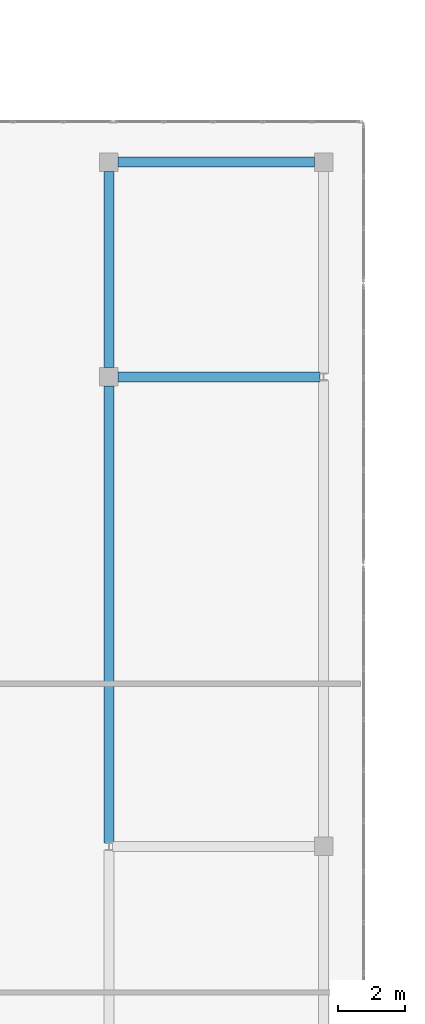
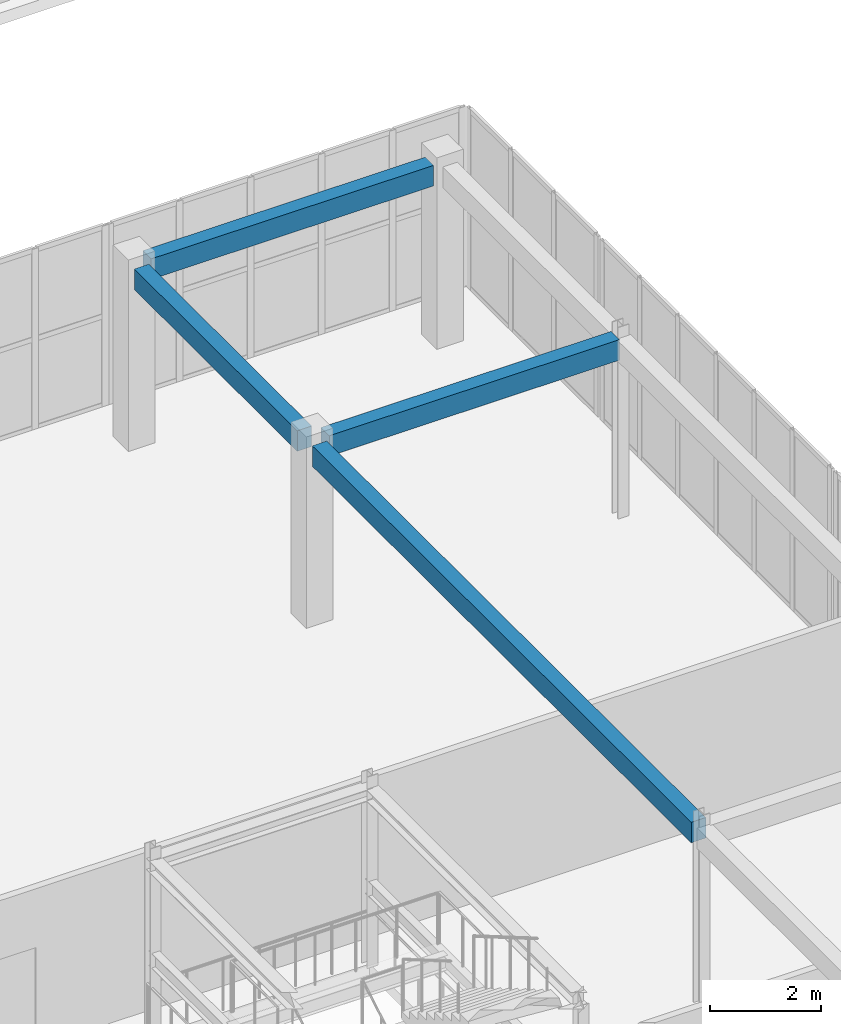
# One storey, part 72 of 140: 4 beams.
"""IFC4 building model written with IfcOpenShell, lengths in metres."""

from ifc_helpers import new_model, si_unit, direction, frame, origin, origin_2d, place, context, subcontext, project, spatial, rectangle, extrude, material, material_profile, profile_set, type_object, element, save


model = new_model("IFC4")

# Units and contexts
model_context = context("Model", 3, precision=1e-05, world=origin(), true_north=direction((0.0, 1.0)))
body_context = subcontext(model_context, "Body", "Model", "MODEL_VIEW")
ifc_project = project(units=[si_unit("LENGTHUNIT", "METRE"), si_unit("AREAUNIT", "SQUARE_METRE"), si_unit("VOLUMEUNIT", "CUBIC_METRE"), si_unit("PLANEANGLEUNIT", "RADIAN"), si_unit("MASSUNIT", "GRAM", prefix="KILO")], contexts=[model_context])

# Site, building, storey
site_placement = place(None, origin())
site = spatial("IfcSite", under=ifc_project, at=site_placement, CompositionType="ELEMENT")
building_placement = place(site_placement, origin())
building = spatial("IfcBuilding", under=site, at=building_placement, Name="Trelvath General Hospital", CompositionType="ELEMENT")
storey_placement = place(building_placement, frame((0.0, 0.0, 16.199951171875)))
storey = spatial("IfcBuildingStorey", under=building, at=storey_placement, Name="L04", CompositionType="ELEMENT", Elevation=16.199951171875)

# Beams
ifc_material = material(Name="Concrete C35/45", Category="concrete")
ifc_material_profile = material_profile(ifc_material, rectangle(XDim=0.300048828125, YDim=0.449951171875, at=origin_2d()), Name="RCB300x450")
ifc_profile_set = profile_set([ifc_material_profile], Name="Concrete C35/45")
beam_type = type_object("IfcBeamType", Name="Beam RC300x450", PredefinedType="BEAM", material=ifc_profile_set)
beam_1_placement = place(storey_placement, frame((107.470947265625, 72.800048828125, 3.735107421875), z_axis=(1.0, 0.0, 0.0), x_axis=(0.0, 1.0, 0.0)))
element("IfcBeam", 1, at=beam_1_placement, inside=storey, type_object=beam_type, Name="Cube Interior Ring Beam CUBE-E-T1 L04", PredefinedType="BEAM", context=body_context, shape_type="SweptSolid", body=[
    extrude(rectangle(XDim=0.300048828125, YDim=0.449951171875, at=origin_2d()), origin(), (0.0, 0.0, 1.0), 6.02294921875),
])
beam_2_placement = place(storey_placement, frame((107.470947265625, 79.199951171875, 3.735107421875), z_axis=(1.0, 0.0, 0.0), x_axis=(0.0, 1.0, 0.0)))
element("IfcBeam", 2, at=beam_2_placement, inside=storey, type_object=beam_type, Name="Cube Interior Ring Beam CUBE-E-T1 L04", PredefinedType="BEAM", context=body_context, shape_type="SweptSolid", body=[
    extrude(rectangle(XDim=0.300048828125, YDim=0.449951171875, at=origin_2d()), origin(), (0.0, 0.0, 1.0), 5.858154296875),
])
beam_3_placement = place(storey_placement, frame((107.199951171875, 58.906005859375, 3.735107421875), z_axis=(0.0, 1.0, 0.0), x_axis=(-1.0, 0.0, 0.0)))
element("IfcBeam", 3, at=beam_3_placement, inside=storey, type_object=beam_type, Name="Cube Interior Ring Beam CUBE-E-T1 L04", PredefinedType="BEAM", context=body_context, shape_type="SweptSolid", body=[
    extrude(rectangle(XDim=0.300048828125, YDim=0.449951171875, at=origin_2d()), origin(), (0.0, 0.0, 1.0), 13.623046875),
])
beam_4_placement = place(storey_placement, frame((107.199951171875, 73.071044921875, 3.735107421875), z_axis=(0.0, 1.0, 0.0), x_axis=(-1.0, 0.0, 0.0)))
element("IfcBeam", 4, at=beam_4_placement, inside=storey, type_object=beam_type, Name="Cube Interior Ring Beam CUBE-E-T1 L04", PredefinedType="BEAM", context=body_context, shape_type="SweptSolid", body=[
    extrude(rectangle(XDim=0.300048828125, YDim=0.449951171875, at=origin_2d()), origin(), (0.0, 0.0, 1.0), 5.85791015625),
])

save(model, "model.ifc")
